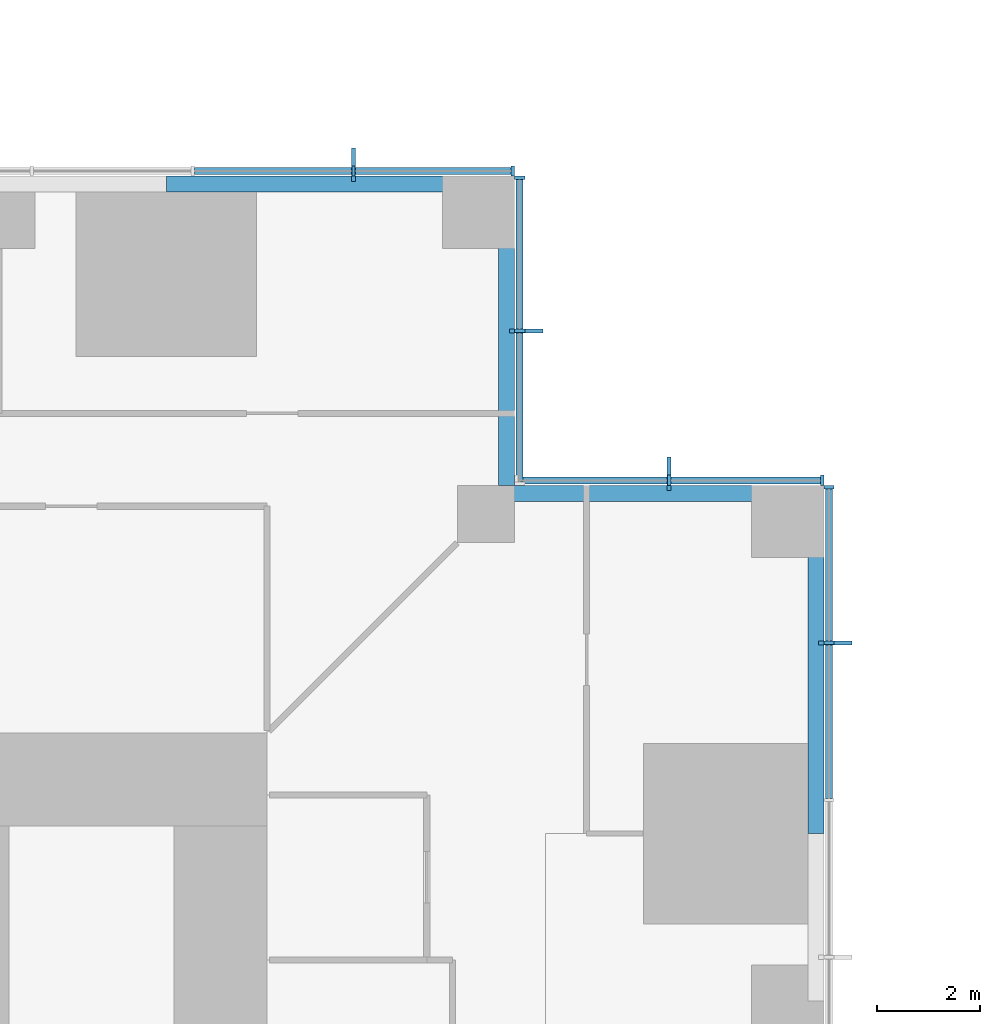
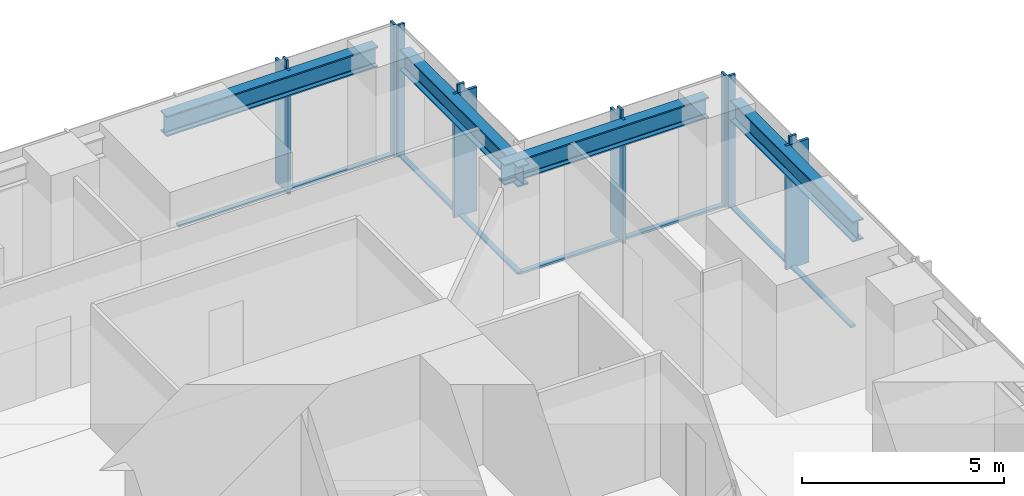
# One storey, part 6 of 16: 20 members, 4 beams, 4 elements without a shape of their own.
"""IFC4 building model written with IfcOpenShell, lengths in metres."""

from ifc_helpers import new_model, si_unit, direction, frame, origin, origin_2d, place, context, subcontext, project, spatial, rectangle, i_section, extrude, material, material_profile, profile_set, type_object, element, aggregate, save


model = new_model("IFC4")

# Units and contexts
model_context = context("Model", 3, precision=1e-05, world=origin(), true_north=direction((0.0, 1.0)))
body_context = subcontext(model_context, "Body", "Model", "MODEL_VIEW")
ifc_project = project(units=[si_unit("LENGTHUNIT", "METRE"), si_unit("AREAUNIT", "SQUARE_METRE"), si_unit("VOLUMEUNIT", "CUBIC_METRE"), si_unit("PLANEANGLEUNIT", "RADIAN"), si_unit("MASSUNIT", "GRAM", prefix="KILO")], contexts=[model_context])

# Site, building, storey
site_placement = place(None, origin())
site = spatial("IfcSite", under=ifc_project, at=site_placement, CompositionType="ELEMENT")
building_placement = place(site_placement, origin())
building = spatial("IfcBuilding", under=site, at=building_placement, Name="Svetlomir Tower", CompositionType="ELEMENT")
storey_placement = place(building_placement, frame((0.0, 0.0, 58.5)))
storey = spatial("IfcBuildingStorey", under=building, at=storey_placement, Name="L13", CompositionType="ELEMENT", Elevation=58.5)

# Curtain wall, member
ifc_material_1 = material(Name="Bronze anodised aluminium curtain wall", Category="aluminium")
curtain_wall_type = type_object("IfcCurtainWallType", Name="CURTAIN WALL CW1 TOWER OFFICE", PredefinedType="NOTDEFINED", material=ifc_material_1)
curtain_wall_1_placement = place(storey_placement, origin())
curtain_wall_1 = element("IfcCurtainWall", 1, at=curtain_wall_1_placement, inside=storey, type_object=curtain_wall_type, Name="Curtain wall CW1 L13", PredefinedType="NOTDEFINED")
ifc_material_2 = material(Name="Bronze anodised aluminium", Category="aluminium")
ifc_material_profile_1 = material_profile(ifc_material_2, rectangle(XDim=0.080078125, YDim=0.64990234375, at=origin_2d()), Name="FIN 80x650")
ifc_profile_set_1 = profile_set([ifc_material_profile_1], Name="Bronze anodised aluminium 6063-T6")
member_type_1 = type_object("IfcMemberType", Name="BRONZE FIN 80x650", PredefinedType="USERDEFINED", material=ifc_profile_set_1)
member_1_placement = place(storey_placement, frame((42.22509765625, 32.949951171875, 0.0), z_axis=(0.0, 0.0, 1.0), x_axis=(0.0, 1.0, 0.0)))
member_1 = element("IfcMember", 2, at=member_1_placement, type_object=member_type_1, Name="Bronze fin L13", ObjectType="FIN", PredefinedType="USERDEFINED", context=body_context, shape_type="SweptSolid", body=[
    extrude(rectangle(XDim=0.080078125, YDim=0.64990234375, at=origin_2d()), origin(), (0.0, 0.0, 1.0), 3.75),
])

curtain_wall_2_placement = place(storey_placement, origin())
curtain_wall_2 = element("IfcCurtainWall", 3, at=curtain_wall_2_placement, inside=storey, type_object=curtain_wall_type, Name="Curtain wall CW1 L13", PredefinedType="NOTDEFINED")
member_2_placement = place(storey_placement, frame((39.0, 36.22509765625, 0.0), z_axis=(0.0, 0.0, 1.0), x_axis=(1.0, 0.0, 0.0)))
member_2 = element("IfcMember", 4, at=member_2_placement, type_object=member_type_1, Name="Bronze fin L13", ObjectType="FIN", PredefinedType="USERDEFINED", context=body_context, shape_type="SweptSolid", body=[
    extrude(rectangle(XDim=0.080078125, YDim=0.64990234375, at=origin_2d()), origin(), (0.0, 0.0, 1.0), 3.75),
])

curtain_wall_3_placement = place(storey_placement, origin())
curtain_wall_3 = element("IfcCurtainWall", 5, at=curtain_wall_3_placement, inside=storey, type_object=curtain_wall_type, Name="Curtain wall CW1 L13", PredefinedType="NOTDEFINED")
member_3_placement = place(storey_placement, frame((36.22509765625, 39.0, 0.0), z_axis=(0.0, 0.0, 1.0), x_axis=(0.0, 1.0, 0.0)))
member_3 = element("IfcMember", 6, at=member_3_placement, type_object=member_type_1, Name="Bronze fin L13", ObjectType="FIN", PredefinedType="USERDEFINED", context=body_context, shape_type="SweptSolid", body=[
    extrude(rectangle(XDim=0.080078125, YDim=0.64990234375, at=origin_2d()), origin(), (0.0, 0.0, 1.0), 3.75),
])

curtain_wall_4_placement = place(storey_placement, origin())
curtain_wall_4 = element("IfcCurtainWall", 7, at=curtain_wall_4_placement, inside=storey, type_object=curtain_wall_type, Name="Curtain wall CW1 L13", PredefinedType="NOTDEFINED")
member_4_placement = place(storey_placement, frame((32.8798828125, 42.22509765625, 0.0), z_axis=(0.0, 0.0, 1.0), x_axis=(1.0, 0.0, 0.0)))
member_4 = element("IfcMember", 8, at=member_4_placement, type_object=member_type_1, Name="Bronze fin L13", ObjectType="FIN", PredefinedType="USERDEFINED", context=body_context, shape_type="SweptSolid", body=[
    extrude(rectangle(XDim=0.080078125, YDim=0.64990234375, at=origin_2d()), origin(), (0.0, 0.0, 1.0), 3.75),
])

# Member
ifc_material_3 = material(Name="Bronze anodised aluminium", Category="aluminium")
ifc_material_profile_2 = material_profile(ifc_material_3, rectangle(XDim=0.06494140625, YDim=0.199951171875, at=origin_2d()), Name="AL 65x200")
ifc_profile_set_2 = profile_set([ifc_material_profile_2], Name="Bronze anodised aluminium 6063-T6")
member_type_2 = type_object("IfcMemberType", Name="CW1 MULLION 65x200", PredefinedType="MULLION", material=ifc_profile_set_2)
member_5_placement = place(storey_placement, frame((42.10009765625, 32.949951171875, 0.0), z_axis=(0.0, 0.0, 1.0), x_axis=(0.0, 1.0, 0.0)))
member_5 = element("IfcMember", 9, at=member_5_placement, type_object=member_type_2, Name="CW1 mullion 8", PredefinedType="MULLION", context=body_context, shape_type="SweptSolid", body=[
    extrude(rectangle(XDim=0.06494140625, YDim=0.199951171875, at=origin_2d()), origin(), (0.0, 0.0, 1.0), 4.0),
])

member_6_placement = place(storey_placement, frame((42.10009765625, 35.967529296875, 0.0), z_axis=(0.0, 0.0, 1.0), x_axis=(0.0, 1.0, 0.0)))
member_6 = element("IfcMember", 10, at=member_6_placement, type_object=member_type_2, Name="CW1 mullion 9", PredefinedType="MULLION", context=body_context, shape_type="SweptSolid", body=[
    extrude(rectangle(XDim=0.06494140625, YDim=0.199951171875, at=origin_2d()), origin(), (0.0, 0.0, 1.0), 4.0),
])

member_7_placement = place(storey_placement, frame((41.967529296875, 36.10009765625, 0.0), z_axis=(0.0, 0.0, 1.0), x_axis=(-1.0, 0.0, 0.0)))
member_7 = element("IfcMember", 11, at=member_7_placement, type_object=member_type_2, Name="CW1 mullion 1", PredefinedType="MULLION", context=body_context, shape_type="SweptSolid", body=[
    extrude(rectangle(XDim=0.06494140625, YDim=0.199951171875, at=origin_2d()), origin(), (0.0, 0.0, 1.0), 4.0),
])

member_8_placement = place(storey_placement, frame((39.0, 36.10009765625, 0.0), z_axis=(0.0, 0.0, 1.0), x_axis=(-1.0, 0.0, 0.0)))
member_8 = element("IfcMember", 12, at=member_8_placement, type_object=member_type_2, Name="CW1 mullion 2", PredefinedType="MULLION", context=body_context, shape_type="SweptSolid", body=[
    extrude(rectangle(XDim=0.06494140625, YDim=0.199951171875, at=origin_2d()), origin(), (0.0, 0.0, 1.0), 4.0),
])

member_9_placement = place(storey_placement, frame((36.10009765625, 39.0, 0.0), z_axis=(0.0, 0.0, 1.0), x_axis=(0.0, 1.0, 0.0)))
member_9 = element("IfcMember", 13, at=member_9_placement, type_object=member_type_2, Name="CW1 mullion 2", PredefinedType="MULLION", context=body_context, shape_type="SweptSolid", body=[
    extrude(rectangle(XDim=0.06494140625, YDim=0.199951171875, at=origin_2d()), origin(), (0.0, 0.0, 1.0), 4.0),
])

member_10_placement = place(storey_placement, frame((36.10009765625, 41.967529296875, 0.0), z_axis=(0.0, 0.0, 1.0), x_axis=(0.0, 1.0, 0.0)))
member_10 = element("IfcMember", 14, at=member_10_placement, type_object=member_type_2, Name="CW1 mullion 3", PredefinedType="MULLION", context=body_context, shape_type="SweptSolid", body=[
    extrude(rectangle(XDim=0.06494140625, YDim=0.199951171875, at=origin_2d()), origin(), (0.0, 0.0, 1.0), 4.0),
])

member_11_placement = place(storey_placement, frame((35.967529296875, 42.10009765625, 0.0), z_axis=(0.0, 0.0, 1.0), x_axis=(-1.0, 0.0, 0.0)))
member_11 = element("IfcMember", 15, at=member_11_placement, type_object=member_type_2, Name="CW1 mullion 1", PredefinedType="MULLION", context=body_context, shape_type="SweptSolid", body=[
    extrude(rectangle(XDim=0.06494140625, YDim=0.199951171875, at=origin_2d()), origin(), (0.0, 0.0, 1.0), 4.0),
])

member_12_placement = place(storey_placement, frame((32.8798828125, 42.10009765625, 0.0), z_axis=(0.0, 0.0, 1.0), x_axis=(-1.0, 0.0, 0.0)))
member_12 = element("IfcMember", 16, at=member_12_placement, type_object=member_type_2, Name="CW1 mullion 2", PredefinedType="MULLION", context=body_context, shape_type="SweptSolid", body=[
    extrude(rectangle(XDim=0.06494140625, YDim=0.199951171875, at=origin_2d()), origin(), (0.0, 0.0, 1.0), 4.0),
])

ifc_material_4 = material(Name="Bronze anodised aluminium", Category="aluminium")
ifc_material_profile_3 = material_profile(ifc_material_4, rectangle(XDim=0.139892578125, YDim=0.06494140625, at=origin_2d()), Name="AL 140x65")
ifc_profile_set_3 = profile_set([ifc_material_profile_3], Name="Bronze anodised aluminium 6063-T6")
member_type_3 = type_object("IfcMemberType", Name="CW1 TRANSOM 65x140", PredefinedType="USERDEFINED", material=ifc_profile_set_3)
member_13_placement = place(storey_placement, frame((42.10009765625, 29.9326171875, 0.032470703125), z_axis=(0.0, 1.0, 0.0), x_axis=(-1.0, 0.0, 0.0)))
member_13 = element("IfcMember", 17, at=member_13_placement, type_object=member_type_3, Name="CW1 transom 7.1", ObjectType="TRANSOM", PredefinedType="USERDEFINED", context=body_context, shape_type="SweptSolid", body=[
    extrude(rectangle(XDim=0.139892578125, YDim=0.06494140625, at=origin_2d()), origin(), (0.0, 0.0, 1.0), 2.98486328125),
])

member_14_placement = place(storey_placement, frame((42.10009765625, 32.982421875, 0.032470703125), z_axis=(0.0, 1.0, 0.0), x_axis=(-1.0, 0.0, 0.0)))
member_14 = element("IfcMember", 18, at=member_14_placement, type_object=member_type_3, Name="CW1 transom 8.1", ObjectType="TRANSOM", PredefinedType="USERDEFINED", context=body_context, shape_type="SweptSolid", body=[
    extrude(rectangle(XDim=0.139892578125, YDim=0.06494140625, at=origin_2d()), origin(), (0.0, 0.0, 1.0), 2.95263671875),
])

aggregate(curtain_wall_1, [member_5, member_6, member_13, member_14, member_1])

member_15_placement = place(storey_placement, frame((41.93505859375, 36.10009765625, 0.032470703125), z_axis=(-1.0, 0.0, 0.0), x_axis=(0.0, -1.0, 0.0)))
member_15 = element("IfcMember", 19, at=member_15_placement, type_object=member_type_3, Name="CW1 transom 1.1", ObjectType="TRANSOM", PredefinedType="USERDEFINED", context=body_context, shape_type="SweptSolid", body=[
    extrude(rectangle(XDim=0.139892578125, YDim=0.06494140625, at=origin_2d()), origin(), (0.0, 0.0, 1.0), 2.902587890625),
])

member_16_placement = place(storey_placement, frame((38.967529296875, 36.10009765625, 0.032470703125), z_axis=(-1.0, 0.0, 0.0), x_axis=(0.0, -1.0, 0.0)))
member_16 = element("IfcMember", 20, at=member_16_placement, type_object=member_type_3, Name="CW1 transom 2.1", ObjectType="TRANSOM", PredefinedType="USERDEFINED", context=body_context, shape_type="SweptSolid", body=[
    extrude(rectangle(XDim=0.139892578125, YDim=0.06494140625, at=origin_2d()), origin(), (0.0, 0.0, 1.0), 2.902587890625),
])

aggregate(curtain_wall_2, [member_7, member_8, member_15, member_16, member_2])

member_17_placement = place(storey_placement, frame((36.10009765625, 36.06494140625, 0.032470703125), z_axis=(0.0, 1.0, 0.0), x_axis=(-1.0, 0.0, 0.0)))
member_17 = element("IfcMember", 21, at=member_17_placement, type_object=member_type_3, Name="CW1 transom 1.1", ObjectType="TRANSOM", PredefinedType="USERDEFINED", context=body_context, shape_type="SweptSolid", body=[
    extrude(rectangle(XDim=0.139892578125, YDim=0.06494140625, at=origin_2d()), origin(), (0.0, 0.0, 1.0), 2.902587890625),
])

member_18_placement = place(storey_placement, frame((36.10009765625, 39.032470703125, 0.032470703125), z_axis=(0.0, 1.0, 0.0), x_axis=(-1.0, 0.0, 0.0)))
member_18 = element("IfcMember", 22, at=member_18_placement, type_object=member_type_3, Name="CW1 transom 2.1", ObjectType="TRANSOM", PredefinedType="USERDEFINED", context=body_context, shape_type="SweptSolid", body=[
    extrude(rectangle(XDim=0.139892578125, YDim=0.06494140625, at=origin_2d()), origin(), (0.0, 0.0, 1.0), 2.902587890625),
])

aggregate(curtain_wall_3, [member_9, member_10, member_17, member_18, member_3])

member_19_placement = place(storey_placement, frame((35.93505859375, 42.10009765625, 0.032470703125), z_axis=(-1.0, 0.0, 0.0), x_axis=(0.0, -1.0, 0.0)))
member_19 = element("IfcMember", 23, at=member_19_placement, type_object=member_type_3, Name="CW1 transom 1.1", ObjectType="TRANSOM", PredefinedType="USERDEFINED", context=body_context, shape_type="SweptSolid", body=[
    extrude(rectangle(XDim=0.139892578125, YDim=0.06494140625, at=origin_2d()), origin(), (0.0, 0.0, 1.0), 3.0224609375),
])

member_20_placement = place(storey_placement, frame((32.847412109375, 42.10009765625, 0.032470703125), z_axis=(-1.0, 0.0, 0.0), x_axis=(0.0, -1.0, 0.0)))
member_20 = element("IfcMember", 24, at=member_20_placement, type_object=member_type_3, Name="CW1 transom 2.1", ObjectType="TRANSOM", PredefinedType="USERDEFINED", context=body_context, shape_type="SweptSolid", body=[
    extrude(rectangle(XDim=0.139892578125, YDim=0.06494140625, at=origin_2d()), origin(), (0.0, 0.0, 1.0), 3.054931640625),
])

aggregate(curtain_wall_4, [member_11, member_12, member_19, member_20, member_4])

# Beams
ifc_material_5 = material(Name="Steel S355", Category="steel")
ifc_material_profile_4 = material_profile(ifc_material_5, i_section(OverallWidth=0.304931640625, OverallDepth=0.6201171875, WebThickness=0.02099609375, FlangeThickness=0.0400390625, FilletRadius=0.027099609375, at=origin_2d()), Name="HEM 600")
ifc_profile_set_4 = profile_set([ifc_material_profile_4], Name="Steel S355")
beam_type = type_object("IfcBeamType", Name="EDGE BEAM HEM 600", PredefinedType="SPANDREL", material=ifc_profile_set_4)
for number, where, z_axis, x_axis, name in (
    (25, (41.847412109375, 29.25, 3.43994140625), (0.0, 1.0, 0.0), (-1.0, 0.0, 0.0), "Edge beam 42/31 to 42/36 under L14"),
    (26, (29.25, 41.847412109375, 3.43994140625), (1.0, 0.0, 0.0), (0.0, 1.0, 0.0), "Edge beam 31/42 to 36/42 under L14"),
):
    element("IfcBeam", number, at=place(storey_placement, frame(where, z_axis=z_axis, x_axis=x_axis)), inside=storey, type_object=beam_type, Name=name, PredefinedType="SPANDREL", context=body_context, shape_type="SweptSolid", body=[
        extrude(i_section(OverallWidth=0.304931640625, OverallDepth=0.6201171875, WebThickness=0.02099609375, FlangeThickness=0.0400390625, FilletRadius=0.027099609375, at=origin_2d()), origin(), (0.0, 0.0, 1.0), 6.050048828125),
    ])
for number, where, z_axis, x_axis, name in (
    (27, (35.847412109375, 41.300048828125, 3.43994140625), (0.0, -1.0, 0.0), (1.0, 0.0, 0.0), "Edge beam 36/42 to 36/36 under L14"),
    (28, (41.300048828125, 35.847412109375, 3.43994140625), (-1.0, 0.0, 0.0), (0.0, -1.0, 0.0), "Edge beam 42/36 to 36/36 under L14"),
):
    element("IfcBeam", number, at=place(storey_placement, frame(where, z_axis=z_axis, x_axis=x_axis)), inside=storey, type_object=beam_type, Name=name, PredefinedType="SPANDREL", context=body_context, shape_type="SweptSolid", body=[
        extrude(i_section(OverallWidth=0.304931640625, OverallDepth=0.6201171875, WebThickness=0.02099609375, FlangeThickness=0.0400390625, FilletRadius=0.027099609375, at=origin_2d()), origin(), (0.0, 0.0, 1.0), 5.85009765625),
    ])

save(model, "model.ifc")
